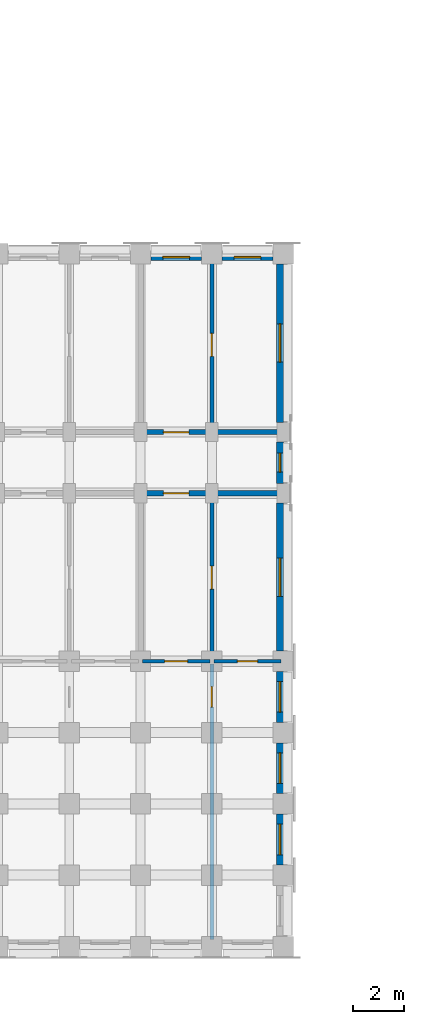
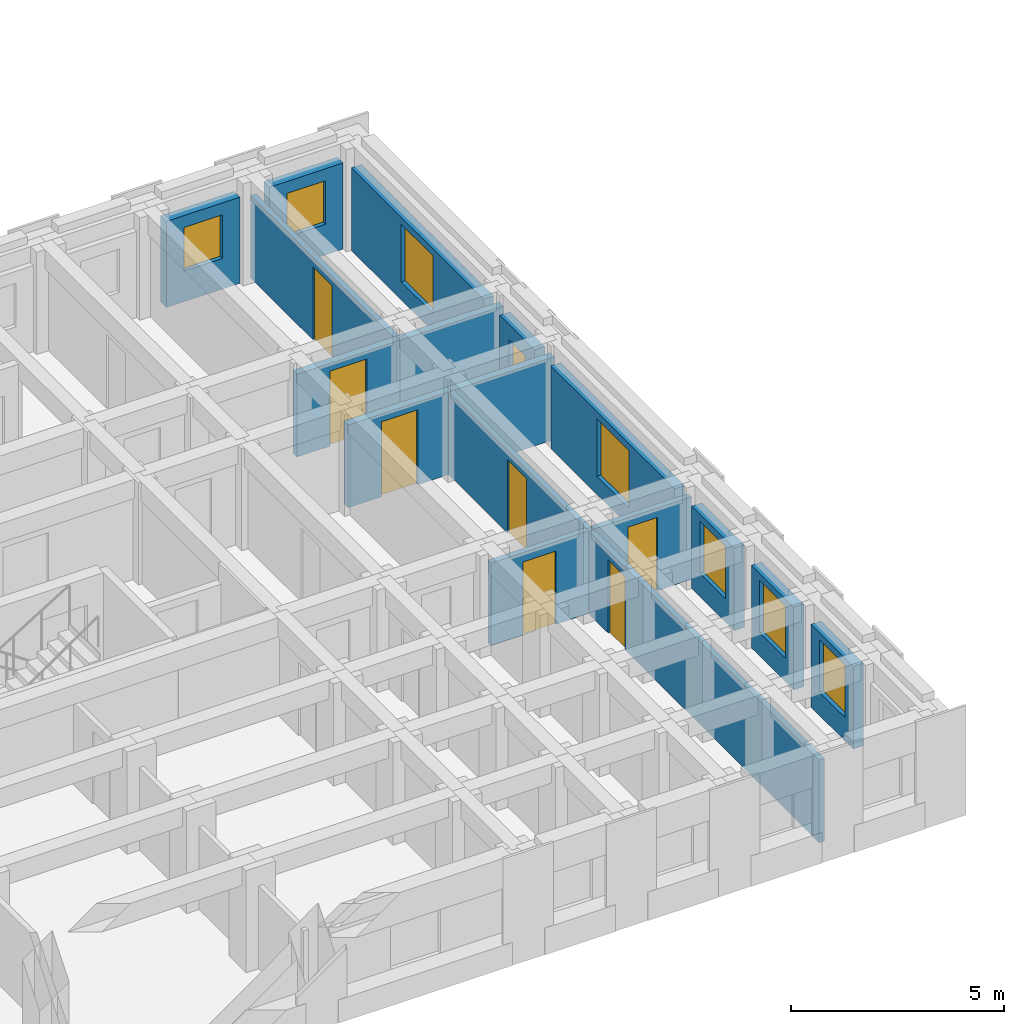
# One storey, part 41 of 76: 17 walls, 8 windows, 7 doors, 15 openings.
"""IFC4 building model written with IfcOpenShell, lengths in metres."""

from ifc_helpers import new_model, si_unit, direction, frame, frame_2d, origin, place, context, subcontext, project, spatial, rectangle, extrude, material, layer, layer_set, type_object, element, fill, save


model = new_model("IFC4")

# Units and contexts
model_context = context("Model", 3, precision=1e-05, world=origin(), true_north=direction((0.0, 1.0)))
body_context = subcontext(model_context, "Body", "Model", "MODEL_VIEW")
ifc_project = project(units=[si_unit("LENGTHUNIT", "METRE"), si_unit("AREAUNIT", "SQUARE_METRE"), si_unit("VOLUMEUNIT", "CUBIC_METRE"), si_unit("PLANEANGLEUNIT", "RADIAN"), si_unit("MASSUNIT", "GRAM", prefix="KILO")], contexts=[model_context])

# Site, building, storey
site_placement = place(None, origin())
site = spatial("IfcSite", under=ifc_project, at=site_placement, CompositionType="ELEMENT")
building_placement = place(site_placement, origin())
building = spatial("IfcBuilding", under=site, at=building_placement, Name="Kiranvali Square Residences", CompositionType="ELEMENT")
storey_placement = place(building_placement, frame((0.0, 0.0, 8.699951171875)))
storey = spatial("IfcBuildingStorey", under=building, at=storey_placement, Name="L02", CompositionType="ELEMENT", Elevation=8.699951171875)

# Wall, opening, door
ifc_material_1 = material(Name="Autoclaved aerated concrete blockwork masonry", Category="masonry")
ifc_layer_1 = layer(ifc_material_1, 0.199951171875)
ifc_layer_set_1 = layer_set([ifc_layer_1], Name="Autoclaved aerated concrete blockwork masonry")
wall_type_1 = type_object("IfcWallType", Name="WL-COR-200", PredefinedType="STANDARD", material=ifc_layer_set_1)
wall_1_placement = place(storey_placement, frame((65.0, 22.39990234375, 0.0), z_axis=(0.0, 0.0, 1.0), x_axis=(1.0, 0.0, 0.0)))
wall_1 = element("IfcWall", 1, at=wall_1_placement, inside=storey, type_object=wall_type_1, Name="L02 architectural wall WL-L02-C-A1CI-2", PredefinedType="STANDARD", context=body_context, shape_type="SweptSolid", body=[
    extrude(rectangle(XDim=2.800048828125, YDim=0.199951171875, at=frame_2d((1.39990234375, 0.0))), origin(), (0.0, 0.0, 1.0), 2.3720703125),
])
opening_1_placement = place(wall_1_placement, frame((0.89990234375, 0.0, 0.0)))
opening_1 = element("IfcOpeningElement", 2, at=opening_1_placement, cuts=wall_1, Name="Opening FD-APT-60", PredefinedType="OPENING", context=body_context, shape_type="SweptSolid", body=[
    extrude(rectangle(XDim=1.0, YDim=2.14990234375, at=frame_2d((0.5, 1.074951171875))), frame((0.0, 0.10986328125, 0.0), z_axis=(0.0, -1.0, 0.0), x_axis=(1.0, 0.0, 0.0)), (0.0, 0.0, 1.0), 0.219970703125),
])
ifc_material_2 = material(Name="Fire-rated acoustic hardwood and mineral-core door assembly", Category="wood")
door_type_1 = type_object("IfcDoorType", Name="DR-APT-1000", OperationType="NOTDEFINED", PredefinedType="DOOR", material=ifc_material_2)
door_1_placement = place(opening_1_placement, origin())
door_1 = element("IfcDoor", 3, at=door_1_placement, inside=storey, type_object=door_type_1, Name="L02 door DR-L02-1861 (DR-APT-1000)", OperationType="SINGLE_SWING_LEFT", OverallHeight=2.14990234375, OverallWidth=1.0, PredefinedType="DOOR", context=body_context, shape_type="SweptSolid", body=[
    extrude(rectangle(XDim=1.0, YDim=2.14990234375, at=frame_2d((0.5, 1.074951171875))), frame((0.0, 0.02490234375, 0.0), z_axis=(0.0, -1.0, 0.0), x_axis=(1.0, 0.0, 0.0)), (0.0, 0.0, 1.0), 0.050048828125),
])
fill(opening_1, door_1)

wall_2_placement = place(storey_placement, frame((65.0, 20.0, 0.0), z_axis=(0.0, 0.0, 1.0), x_axis=(1.0, 0.0, 0.0)))
wall_2 = element("IfcWall", 4, at=wall_2_placement, inside=storey, type_object=wall_type_1, Name="L02 architectural wall WL-L02-C-A1CO-2", PredefinedType="STANDARD", context=body_context, shape_type="SweptSolid", body=[
    extrude(rectangle(XDim=2.800048828125, YDim=0.199951171875, at=frame_2d((1.39990234375, 0.0))), origin(), (0.0, 0.0, 1.0), 2.3720703125),
])
opening_2_placement = place(wall_2_placement, frame((0.89990234375, 0.0, 0.0)))
opening_2 = element("IfcOpeningElement", 5, at=opening_2_placement, cuts=wall_2, Name="Opening FD-APT-60", PredefinedType="OPENING", context=body_context, shape_type="SweptSolid", body=[
    extrude(rectangle(XDim=1.0, YDim=2.14990234375, at=frame_2d((0.5, 1.074951171875))), frame((0.0, 0.10986328125, 0.0), z_axis=(0.0, -1.0, 0.0), x_axis=(1.0, 0.0, 0.0)), (0.0, 0.0, 1.0), 0.219970703125),
])
door_2_placement = place(opening_2_placement, origin())
door_2 = element("IfcDoor", 6, at=door_2_placement, inside=storey, type_object=door_type_1, Name="L02 door DR-L02-1863 (DR-APT-1000)", OperationType="SINGLE_SWING_LEFT", OverallHeight=2.14990234375, OverallWidth=1.0, PredefinedType="DOOR", context=body_context, shape_type="SweptSolid", body=[
    extrude(rectangle(XDim=1.0, YDim=2.14990234375, at=frame_2d((0.5, 1.074951171875))), frame((0.0, 0.02490234375, 0.0), z_axis=(0.0, -1.0, 0.0), x_axis=(1.0, 0.0, 0.0)), (0.0, 0.0, 1.0), 0.050048828125),
])
fill(opening_2, door_2)

# Walls
for number, where, z_axis, x_axis, name in (
    (7, (67.800048828125, 22.39990234375, 0.0), (0.0, 0.0, 1.0), (1.0, 0.0, 0.0), "L02 architectural wall WL-L02-C-A1CI-3"),
    (8, (67.800048828125, 20.0, 0.0), (0.0, 0.0, 1.0), (1.0, 0.0, 0.0), "L02 architectural wall WL-L02-C-A1CO-3"),
):
    element("IfcWall", number, at=place(storey_placement, frame(where, z_axis=z_axis, x_axis=x_axis)), inside=storey, type_object=wall_type_1, Name=name, PredefinedType="STANDARD", context=body_context, shape_type="SweptSolid", body=[
        extrude(rectangle(XDim=2.800048828125, YDim=0.199951171875, at=frame_2d((1.39990234375, 0.0))), origin(), (0.0, 0.0, 1.0), 2.3720703125),
    ])

# Wall, opening, window
ifc_material_3 = material(Name="Breathable lime-rendered clay brick masonry", Category="masonry")
ifc_layer_2 = layer(ifc_material_3, 0.27490234375)
ifc_layer_set_2 = layer_set([ifc_layer_2], Name="Breathable lime-rendered clay brick masonry")
wall_type_2 = type_object("IfcWallType", Name="WL-EXT-275", PredefinedType="STANDARD", material=ifc_layer_set_2)
wall_3_placement = place(storey_placement, frame((65.403564453125, 29.27490234375, 0.0), z_axis=(0.0, 0.0, 1.0), x_axis=(1.0, 0.0, 0.0)))
wall_3 = element("IfcWall", 9, at=wall_3_placement, inside=storey, type_object=wall_type_2, Name="L02 exterior wall C-L02-A1I-2", PredefinedType="STANDARD", context=body_context, shape_type="SweptSolid", body=[
    extrude(rectangle(XDim=1.992919921875, YDim=0.27490234375, at=frame_2d((0.99658203125, 0.0))), origin(), (0.0, 0.0, 1.0), 2.47216796875),
])
opening_3_placement = place(wall_3_placement, frame((0.471435546875, 0.0, 0.8798828125)))
opening_3 = element("IfcOpeningElement", 10, at=opening_3_placement, cuts=wall_3, Name="Opening W-24", PredefinedType="OPENING", context=body_context, shape_type="SweptSolid", body=[
    extrude(rectangle(XDim=1.050048828125, YDim=1.25, at=frame_2d((0.52490234375, 0.625))), frame((0.0, 0.1474609375, 0.0), z_axis=(0.0, -1.0, 0.0), x_axis=(1.0, 0.0, 0.0)), (0.0, 0.0, 1.0), 0.294921875),
])
ifc_material_4 = material(Name="Solar-control low-e double glazing", Category="glass")
window_type_1 = type_object("IfcWindowType", Name="WIN-COR-1050x1250", PartitioningType="SINGLE_PANEL", PredefinedType="WINDOW", material=ifc_material_4)
window_1_placement = place(opening_3_placement, origin())
window_1 = element("IfcWindow", 11, at=window_1_placement, inside=storey, type_object=window_type_1, Name="L02 recessed window C-L02-A1I-2", OverallHeight=1.25, OverallWidth=1.050048828125, PartitioningType="SINGLE_PANEL", PredefinedType="WINDOW", context=body_context, shape_type="SweptSolid", body=[
    extrude(rectangle(XDim=1.050048828125, YDim=1.25, at=frame_2d((0.52490234375, 0.625))), frame((0.0, 0.030029296875, 0.0), z_axis=(0.0, -1.0, 0.0), x_axis=(1.0, 0.0, 0.0)), (0.0, 0.0, 1.0), 0.06005859375),
])
fill(opening_3, window_1)

wall_4_placement = place(storey_placement, frame((68.20361328125, 29.27490234375, 0.0), z_axis=(0.0, 0.0, 1.0), x_axis=(1.0, 0.0, 0.0)))
wall_4 = element("IfcWall", 12, at=wall_4_placement, inside=storey, type_object=wall_type_2, Name="L02 exterior wall C-L02-A1I-3", PredefinedType="STANDARD", context=body_context, shape_type="SweptSolid", body=[
    extrude(rectangle(XDim=1.992919921875, YDim=0.27490234375, at=frame_2d((0.99658203125, 0.0))), origin(), (0.0, 0.0, 1.0), 2.47216796875),
])
opening_4_placement = place(wall_4_placement, frame((0.471435546875, 0.0, 0.8798828125)))
opening_4 = element("IfcOpeningElement", 13, at=opening_4_placement, cuts=wall_4, Name="Opening W-24", PredefinedType="OPENING", context=body_context, shape_type="SweptSolid", body=[
    extrude(rectangle(XDim=1.050048828125, YDim=1.25, at=frame_2d((0.52490234375, 0.625))), frame((0.0, 0.1474609375, 0.0), z_axis=(0.0, -1.0, 0.0), x_axis=(1.0, 0.0, 0.0)), (0.0, 0.0, 1.0), 0.294921875),
])
window_2_placement = place(opening_4_placement, origin())
window_2 = element("IfcWindow", 14, at=window_2_placement, inside=storey, type_object=window_type_1, Name="L02 recessed window C-L02-A1I-3", OverallHeight=1.25, OverallWidth=1.050048828125, PartitioningType="SINGLE_PANEL", PredefinedType="WINDOW", context=body_context, shape_type="SweptSolid", body=[
    extrude(rectangle(XDim=1.050048828125, YDim=1.25, at=frame_2d((0.52490234375, 0.625))), frame((0.0, 0.030029296875, 0.0), z_axis=(0.0, -1.0, 0.0), x_axis=(1.0, 0.0, 0.0)), (0.0, 0.0, 1.0), 0.06005859375),
])
fill(opening_4, window_2)

wall_5_placement = place(storey_placement, frame((70.47509765625, 28.99658203125, 0.0), z_axis=(0.0, 0.0, 1.0), x_axis=(0.0, -1.0, 0.0)))
wall_5 = element("IfcWall", 15, at=wall_5_placement, inside=storey, type_object=wall_type_2, Name="L02 exterior wall C-L02-A1END-0", PredefinedType="STANDARD", context=body_context, shape_type="SweptSolid", body=[
    extrude(rectangle(XDim=6.218017578125, YDim=0.27490234375, at=frame_2d((3.10888671875, 0.0))), origin(), (0.0, 0.0, 1.0), 2.3720703125),
])
opening_5_placement = place(wall_5_placement, frame((2.346435546875, 0.0, 0.52197265625)))
opening_5 = element("IfcOpeningElement", 16, at=opening_5_placement, cuts=wall_5, Name="Opening W-05", PredefinedType="OPENING", context=body_context, shape_type="SweptSolid", body=[
    extrude(rectangle(XDim=1.5, YDim=1.64990234375, at=frame_2d((0.75, 0.824951171875))), frame((0.0, 0.1474609375, 0.0), z_axis=(0.0, -1.0, 0.0), x_axis=(1.0, 0.0, 0.0)), (0.0, 0.0, 1.0), 0.294921875),
])
window_type_2 = type_object("IfcWindowType", Name="WIN-RES-1500x1650", PartitioningType="DOUBLE_PANEL_VERTICAL", PredefinedType="WINDOW", material=ifc_material_4)
window_3_placement = place(opening_5_placement, origin())
window_3 = element("IfcWindow", 17, at=window_3_placement, inside=storey, type_object=window_type_2, Name="L02 recessed window C-L02-A1END-0", OverallHeight=1.64990234375, OverallWidth=1.5, PartitioningType="DOUBLE_PANEL_VERTICAL", PredefinedType="WINDOW", context=body_context, shape_type="SweptSolid", body=[
    extrude(rectangle(XDim=1.5, YDim=1.64990234375, at=frame_2d((0.75, 0.824951171875))), frame((0.0, 0.030029296875, 0.0), z_axis=(0.0, -1.0, 0.0), x_axis=(1.0, 0.0, 0.0)), (0.0, 0.0, 1.0), 0.06005859375),
])
fill(opening_5, window_3)

wall_6_placement = place(storey_placement, frame((70.47509765625, 22.021484375, 0.0), z_axis=(0.0, 0.0, 1.0), x_axis=(0.0, -1.0, 0.0)))
wall_6 = element("IfcWall", 18, at=wall_6_placement, inside=storey, type_object=wall_type_2, Name="L02 exterior wall C-L02-A1END-1", PredefinedType="STANDARD", context=body_context, shape_type="SweptSolid", body=[
    extrude(rectangle(XDim=1.64306640625, YDim=0.27490234375, at=frame_2d((0.821533203125, 0.0))), origin(), (0.0, 0.0, 1.0), 2.3720703125),
])
opening_6_placement = place(wall_6_placement, frame((0.446533203125, 0.0, 0.8798828125)))
opening_6 = element("IfcOpeningElement", 19, at=opening_6_placement, cuts=wall_6, Name="Opening W-07", PredefinedType="OPENING", context=body_context, shape_type="SweptSolid", body=[
    extrude(rectangle(XDim=0.75, YDim=1.050048828125, at=frame_2d((0.375, 0.52490234375))), frame((0.0, 0.1474609375, 0.0), z_axis=(0.0, -1.0, 0.0), x_axis=(1.0, 0.0, 0.0)), (0.0, 0.0, 1.0), 0.294921875),
])
window_type_3 = type_object("IfcWindowType", Name="WIN-WET-750x1050", PartitioningType="SINGLE_PANEL", PredefinedType="WINDOW", material=ifc_material_4)
window_4_placement = place(opening_6_placement, origin())
window_4 = element("IfcWindow", 20, at=window_4_placement, inside=storey, type_object=window_type_3, Name="L02 recessed window C-L02-A1END-1", OverallHeight=1.050048828125, OverallWidth=0.75, PartitioningType="SINGLE_PANEL", PredefinedType="WINDOW", context=body_context, shape_type="SweptSolid", body=[
    extrude(rectangle(XDim=0.75, YDim=1.050048828125, at=frame_2d((0.375, 0.52490234375))), frame((0.0, 0.030029296875, 0.0), z_axis=(0.0, -1.0, 0.0), x_axis=(1.0, 0.0, 0.0)), (0.0, 0.0, 1.0), 0.06005859375),
])
fill(opening_6, window_4)

wall_7_placement = place(storey_placement, frame((70.47509765625, 19.62158203125, 0.0), z_axis=(0.0, 0.0, 1.0), x_axis=(0.0, -1.0, 0.0)))
wall_7 = element("IfcWall", 21, at=wall_7_placement, inside=storey, type_object=wall_type_2, Name="L02 exterior wall C-L02-A1END-2", PredefinedType="STANDARD", context=body_context, shape_type="SweptSolid", body=[
    extrude(rectangle(XDim=5.818115234375, YDim=0.27490234375, at=frame_2d((2.9091796875, 0.0))), origin(), (0.0, 0.0, 1.0), 2.3720703125),
])
opening_7_placement = place(wall_7_placement, frame((2.17138671875, 0.0, 0.52197265625)))
opening_7 = element("IfcOpeningElement", 22, at=opening_7_placement, cuts=wall_7, Name="Opening W-05", PredefinedType="OPENING", context=body_context, shape_type="SweptSolid", body=[
    extrude(rectangle(XDim=1.5, YDim=1.64990234375, at=frame_2d((0.75, 0.824951171875))), frame((0.0, 0.1474609375, 0.0), z_axis=(0.0, -1.0, 0.0), x_axis=(1.0, 0.0, 0.0)), (0.0, 0.0, 1.0), 0.294921875),
])
window_5_placement = place(opening_7_placement, origin())
window_5 = element("IfcWindow", 23, at=window_5_placement, inside=storey, type_object=window_type_2, Name="L02 recessed window C-L02-A1END-2", OverallHeight=1.64990234375, OverallWidth=1.5, PartitioningType="DOUBLE_PANEL_VERTICAL", PredefinedType="WINDOW", context=body_context, shape_type="SweptSolid", body=[
    extrude(rectangle(XDim=1.5, YDim=1.64990234375, at=frame_2d((0.75, 0.824951171875))), frame((0.0, 0.030029296875, 0.0), z_axis=(0.0, -1.0, 0.0), x_axis=(1.0, 0.0, 0.0)), (0.0, 0.0, 1.0), 0.06005859375),
])
fill(opening_7, window_5)

wall_8_placement = place(storey_placement, frame((70.47509765625, 12.99658203125, 0.0), z_axis=(0.0, 0.0, 1.0), x_axis=(0.0, -1.0, 0.0)))
wall_8 = element("IfcWall", 24, at=wall_8_placement, inside=storey, type_object=wall_type_2, Name="L02 exterior wall C-L02-A1END-3", PredefinedType="STANDARD", context=body_context, shape_type="SweptSolid", body=[
    extrude(rectangle(XDim=1.9931640625, YDim=0.27490234375, at=frame_2d((0.99658203125, 0.0))), origin(), (0.0, 0.0, 1.0), 2.3720703125),
])
opening_8_placement = place(wall_8_placement, frame((0.396484375, 0.0, 0.672119140625)))
opening_8 = element("IfcOpeningElement", 25, at=opening_8_placement, cuts=wall_8, Name="Opening W-06", PredefinedType="OPENING", context=body_context, shape_type="SweptSolid", body=[
    extrude(rectangle(XDim=1.199951171875, YDim=1.5, at=frame_2d((0.60009765625, 0.75))), frame((0.0, 0.1474609375, 0.0), z_axis=(0.0, -1.0, 0.0), x_axis=(1.0, 0.0, 0.0)), (0.0, 0.0, 1.0), 0.294921875),
])
window_type_4 = type_object("IfcWindowType", Name="WIN-RES-1200x1500", PartitioningType="SINGLE_PANEL", PredefinedType="WINDOW", material=ifc_material_4)
window_6_placement = place(opening_8_placement, origin())
window_6 = element("IfcWindow", 26, at=window_6_placement, inside=storey, type_object=window_type_4, Name="L02 recessed window C-L02-A1END-3", OverallHeight=1.5, OverallWidth=1.199951171875, PartitioningType="SINGLE_PANEL", PredefinedType="WINDOW", context=body_context, shape_type="SweptSolid", body=[
    extrude(rectangle(XDim=1.199951171875, YDim=1.5, at=frame_2d((0.60009765625, 0.75))), frame((0.0, 0.030029296875, 0.0), z_axis=(0.0, -1.0, 0.0), x_axis=(1.0, 0.0, 0.0)), (0.0, 0.0, 1.0), 0.06005859375),
])
fill(opening_8, window_6)

wall_9_placement = place(storey_placement, frame((70.47509765625, 10.196533203125, 0.0), z_axis=(0.0, 0.0, 1.0), x_axis=(0.0, -1.0, 0.0)))
wall_9 = element("IfcWall", 27, at=wall_9_placement, inside=storey, type_object=wall_type_2, Name="L02 exterior wall C-L02-A1END-4", PredefinedType="STANDARD", context=body_context, shape_type="SweptSolid", body=[
    extrude(rectangle(XDim=1.992919921875, YDim=0.27490234375, at=frame_2d((0.99658203125, 0.0))), origin(), (0.0, 0.0, 1.0), 2.3720703125),
])
opening_9_placement = place(wall_9_placement, frame((0.396484375, 0.0, 0.672119140625)))
opening_9 = element("IfcOpeningElement", 28, at=opening_9_placement, cuts=wall_9, Name="Opening W-06", PredefinedType="OPENING", context=body_context, shape_type="SweptSolid", body=[
    extrude(rectangle(XDim=1.199951171875, YDim=1.5, at=frame_2d((0.60009765625, 0.75))), frame((0.0, 0.1474609375, 0.0), z_axis=(0.0, -1.0, 0.0), x_axis=(1.0, 0.0, 0.0)), (0.0, 0.0, 1.0), 0.294921875),
])
window_7_placement = place(opening_9_placement, origin())
window_7 = element("IfcWindow", 29, at=window_7_placement, inside=storey, type_object=window_type_4, Name="L02 recessed window C-L02-A1END-4", OverallHeight=1.5, OverallWidth=1.199951171875, PartitioningType="SINGLE_PANEL", PredefinedType="WINDOW", context=body_context, shape_type="SweptSolid", body=[
    extrude(rectangle(XDim=1.199951171875, YDim=1.5, at=frame_2d((0.60009765625, 0.75))), frame((0.0, 0.030029296875, 0.0), z_axis=(0.0, -1.0, 0.0), x_axis=(1.0, 0.0, 0.0)), (0.0, 0.0, 1.0), 0.06005859375),
])
fill(opening_9, window_7)

wall_10_placement = place(storey_placement, frame((70.47509765625, 7.396484375, 0.0), z_axis=(0.0, 0.0, 1.0), x_axis=(0.0, -1.0, 0.0)))
wall_10 = element("IfcWall", 30, at=wall_10_placement, inside=storey, type_object=wall_type_2, Name="L02 exterior wall C-L02-A1END-5", PredefinedType="STANDARD", context=body_context, shape_type="SweptSolid", body=[
    extrude(rectangle(XDim=1.992919921875, YDim=0.27490234375, at=frame_2d((0.99658203125, 0.0))), origin(), (0.0, 0.0, 1.0), 2.3720703125),
])
opening_10_placement = place(wall_10_placement, frame((0.396484375, 0.0, 0.672119140625)))
opening_10 = element("IfcOpeningElement", 31, at=opening_10_placement, cuts=wall_10, Name="Opening W-06", PredefinedType="OPENING", context=body_context, shape_type="SweptSolid", body=[
    extrude(rectangle(XDim=1.199951171875, YDim=1.5, at=frame_2d((0.60009765625, 0.75))), frame((0.0, 0.1474609375, 0.0), z_axis=(0.0, -1.0, 0.0), x_axis=(1.0, 0.0, 0.0)), (0.0, 0.0, 1.0), 0.294921875),
])
window_8_placement = place(opening_10_placement, origin())
window_8 = element("IfcWindow", 32, at=window_8_placement, inside=storey, type_object=window_type_4, Name="L02 recessed window C-L02-A1END-5", OverallHeight=1.5, OverallWidth=1.199951171875, PartitioningType="SINGLE_PANEL", PredefinedType="WINDOW", context=body_context, shape_type="SweptSolid", body=[
    extrude(rectangle(XDim=1.199951171875, YDim=1.5, at=frame_2d((0.60009765625, 0.75))), frame((0.0, 0.030029296875, 0.0), z_axis=(0.0, -1.0, 0.0), x_axis=(1.0, 0.0, 0.0)), (0.0, 0.0, 1.0), 0.06005859375),
])
fill(opening_10, window_8)

# Wall, opening, door
ifc_material_5 = material(Name="Acoustic gypsum board drylined partition", Category="gypsum")
ifc_layer_3 = layer(ifc_material_5, 0.14990234375)
ifc_layer_set_3 = layer_set([ifc_layer_3], Name="Acoustic gypsum board drylined partition")
wall_type_3 = type_object("IfcWallType", Name="WL-PRT-150", PredefinedType="PARTITIONING", material=ifc_layer_set_3)
wall_11_placement = place(storey_placement, frame((67.800048828125, 29.199951171875, 0.0), z_axis=(0.0, 0.0, 1.0), x_axis=(0.0, -1.0, 0.0)))
wall_11 = element("IfcWall", 33, at=wall_11_placement, inside=storey, type_object=wall_type_3, Name="L02 architectural wall WL-L02-C-A1TI-3", PredefinedType="PARTITIONING", context=body_context, shape_type="SweptSolid", body=[
    extrude(rectangle(XDim=6.75, YDim=0.14990234375, at=frame_2d((3.375, 0.0))), origin(), (0.0, 0.0, 1.0), 2.3720703125),
])
opening_11_placement = place(wall_11_placement, frame((2.925048828125, 0.0, 0.0)))
opening_11 = element("IfcOpeningElement", 34, at=opening_11_placement, cuts=wall_11, Name="Opening ID-1", PredefinedType="OPENING", context=body_context, shape_type="SweptSolid", body=[
    extrude(rectangle(XDim=0.89990234375, YDim=2.10009765625, at=frame_2d((0.449951171875, 1.050048828125))), frame((0.0, 0.0849609375, 0.0), z_axis=(0.0, -1.0, 0.0), x_axis=(1.0, 0.0, 0.0)), (0.0, 0.0, 1.0), 0.169921875),
])
ifc_material_6 = material(Name="Solid seasoned teak hardwood joinery", Category="wood")
door_type_2 = type_object("IfcDoorType", Name="DR-INT-900", OperationType="NOTDEFINED", PredefinedType="DOOR", material=ifc_material_6)
door_3_placement = place(opening_11_placement, origin())
door_3 = element("IfcDoor", 35, at=door_3_placement, inside=storey, type_object=door_type_2, Name="L02 door DR-L02-1869 (DR-INT-900)", OperationType="SINGLE_SWING_LEFT", OverallHeight=2.10009765625, OverallWidth=0.89990234375, PredefinedType="DOOR", context=body_context, shape_type="SweptSolid", body=[
    extrude(rectangle(XDim=0.89990234375, YDim=2.10009765625, at=frame_2d((0.449951171875, 1.050048828125))), frame((0.0, 0.02490234375, 0.0), z_axis=(0.0, -1.0, 0.0), x_axis=(1.0, 0.0, 0.0)), (0.0, 0.0, 1.0), 0.050048828125),
])
fill(opening_11, door_3)

wall_12_placement = place(storey_placement, frame((67.800048828125, 19.949951171875, 0.0), z_axis=(0.0, 0.0, 1.0), x_axis=(0.0, -1.0, 0.0)))
wall_12 = element("IfcWall", 36, at=wall_12_placement, inside=storey, type_object=wall_type_3, Name="L02 architectural wall WL-L02-C-A1TO1-3", PredefinedType="PARTITIONING", context=body_context, shape_type="SweptSolid", body=[
    extrude(rectangle(XDim=6.530029296875, YDim=0.14990234375, at=frame_2d((3.26513671875, 0.0))), origin(), (0.0, 0.0, 1.0), 2.3720703125),
])
opening_12_placement = place(wall_12_placement, frame((2.81494140625, 0.0, 0.0)))
opening_12 = element("IfcOpeningElement", 37, at=opening_12_placement, cuts=wall_12, Name="Opening ID-1", PredefinedType="OPENING", context=body_context, shape_type="SweptSolid", body=[
    extrude(rectangle(XDim=0.89990234375, YDim=2.10009765625, at=frame_2d((0.449951171875, 1.050048828125))), frame((0.0, 0.0849609375, 0.0), z_axis=(0.0, -1.0, 0.0), x_axis=(1.0, 0.0, 0.0)), (0.0, 0.0, 1.0), 0.169921875),
])
door_4_placement = place(opening_12_placement, frame((0.89990234375, 0.0, 0.0), z_axis=(0.0, 0.0, 1.0), x_axis=(-1.0, 0.0, 0.0)))
door_4 = element("IfcDoor", 38, at=door_4_placement, inside=storey, type_object=door_type_2, Name="L02 door DR-L02-1870 (DR-INT-900)", OperationType="SINGLE_SWING_RIGHT", OverallHeight=2.10009765625, OverallWidth=0.89990234375, PredefinedType="DOOR", context=body_context, shape_type="SweptSolid", body=[
    extrude(rectangle(XDim=0.89990234375, YDim=2.10009765625, at=frame_2d((0.449951171875, 1.050048828125))), frame((0.0, 0.02490234375, 0.0), z_axis=(0.0, -1.0, 0.0), x_axis=(1.0, 0.0, 0.0)), (0.0, 0.0, 1.0), 0.050048828125),
])
fill(opening_12, door_4)

wall_13_placement = place(storey_placement, frame((67.800048828125, 13.300048828125, 0.0), z_axis=(0.0, 0.0, 1.0), x_axis=(0.0, -1.0, 0.0)))
wall_13 = element("IfcWall", 39, at=wall_13_placement, inside=storey, type_object=wall_type_3, Name="L02 architectural wall WL-L02-C-A1TO2-3", PredefinedType="PARTITIONING", context=body_context, shape_type="SweptSolid", body=[
    extrude(rectangle(XDim=10.820068359375, YDim=0.14990234375, at=frame_2d((5.41015625, 0.0))), origin(), (0.0, 0.0, 1.0), 2.3720703125),
])
opening_13_placement = place(wall_13_placement, frame((0.8994140625, 0.0, 0.0)))
opening_13 = element("IfcOpeningElement", 40, at=opening_13_placement, cuts=wall_13, Name="Opening ID-WET", PredefinedType="OPENING", context=body_context, shape_type="SweptSolid", body=[
    extrude(rectangle(XDim=0.800048828125, YDim=2.10009765625, at=frame_2d((0.39990234375, 1.050048828125))), frame((0.0, 0.0849609375, 0.0), z_axis=(0.0, -1.0, 0.0), x_axis=(1.0, 0.0, 0.0)), (0.0, 0.0, 1.0), 0.169921875),
])
door_type_3 = type_object("IfcDoorType", Name="DR-WET-800", OperationType="NOTDEFINED", PredefinedType="DOOR", material=ifc_material_6)
door_5_placement = place(opening_13_placement, origin())
door_5 = element("IfcDoor", 41, at=door_5_placement, inside=storey, type_object=door_type_3, Name="L02 door DR-L02-1871 (DR-WET-800)", OperationType="SINGLE_SWING_LEFT", OverallHeight=2.10009765625, OverallWidth=0.800048828125, PredefinedType="DOOR", context=body_context, shape_type="SweptSolid", body=[
    extrude(rectangle(XDim=0.800048828125, YDim=2.10009765625, at=frame_2d((0.39990234375, 1.050048828125))), frame((0.0, 0.02490234375, 0.0), z_axis=(0.0, -1.0, 0.0), x_axis=(1.0, 0.0, 0.0)), (0.0, 0.0, 1.0), 0.050048828125),
])
fill(opening_13, door_5)

ifc_layer_4 = layer(ifc_material_1, 0.14990234375)
ifc_layer_set_4 = layer_set([ifc_layer_4], Name="Autoclaved aerated concrete blockwork masonry")
wall_type_4 = type_object("IfcWallType", Name="WL-WET-150", PredefinedType="PLUMBINGWALL", material=ifc_layer_set_4)
wall_14_placement = place(storey_placement, frame((65.080078125, 13.39990234375, 0.0), z_axis=(0.0, 0.0, 1.0), x_axis=(1.0, 0.0, 0.0)))
wall_14 = element("IfcWall", 42, at=wall_14_placement, inside=storey, type_object=wall_type_4, Name="L02 architectural wall WL-L02-C-A1SP-2", PredefinedType="PLUMBINGWALL", context=body_context, shape_type="SweptSolid", body=[
    extrude(rectangle(XDim=2.639892578125, YDim=0.14990234375, at=frame_2d((1.31982421875, 0.0))), origin(), (0.0, 0.0, 1.0), 2.3720703125),
])
opening_14_placement = place(wall_14_placement, frame((0.8701171875, 0.0, 0.0)))
opening_14 = element("IfcOpeningElement", 43, at=opening_14_placement, cuts=wall_14, Name="Opening ID-1", PredefinedType="OPENING", context=body_context, shape_type="SweptSolid", body=[
    extrude(rectangle(XDim=0.89990234375, YDim=2.10009765625, at=frame_2d((0.449951171875, 1.050048828125))), frame((0.0, 0.0849609375, 0.0), z_axis=(0.0, -1.0, 0.0), x_axis=(1.0, 0.0, 0.0)), (0.0, 0.0, 1.0), 0.169921875),
])
door_6_placement = place(opening_14_placement, frame((0.89990234375, 0.0, 0.0), z_axis=(0.0, 0.0, 1.0), x_axis=(-1.0, 0.0, 0.0)))
door_6 = element("IfcDoor", 44, at=door_6_placement, inside=storey, type_object=door_type_2, Name="L02 door DR-L02-1862 (DR-INT-900)", OperationType="SINGLE_SWING_RIGHT", OverallHeight=2.10009765625, OverallWidth=0.89990234375, PredefinedType="DOOR", context=body_context, shape_type="SweptSolid", body=[
    extrude(rectangle(XDim=0.89990234375, YDim=2.10009765625, at=frame_2d((0.449951171875, 1.050048828125))), frame((0.0, 0.02490234375, 0.0), z_axis=(0.0, -1.0, 0.0), x_axis=(1.0, 0.0, 0.0)), (0.0, 0.0, 1.0), 0.050048828125),
])
fill(opening_14, door_6)

wall_15_placement = place(storey_placement, frame((67.8798828125, 13.39990234375, 0.0), z_axis=(0.0, 0.0, 1.0), x_axis=(1.0, 0.0, 0.0)))
wall_15 = element("IfcWall", 45, at=wall_15_placement, inside=storey, type_object=wall_type_4, Name="L02 architectural wall WL-L02-C-A1SP-3", PredefinedType="PLUMBINGWALL", context=body_context, shape_type="SweptSolid", body=[
    extrude(rectangle(XDim=2.64013671875, YDim=0.14990234375, at=frame_2d((1.320068359375, 0.0))), origin(), (0.0, 0.0, 1.0), 2.3720703125),
])
opening_15_placement = place(wall_15_placement, frame((0.919921875, 0.0, 0.0)))
opening_15 = element("IfcOpeningElement", 46, at=opening_15_placement, cuts=wall_15, Name="Opening ID-WET", PredefinedType="OPENING", context=body_context, shape_type="SweptSolid", body=[
    extrude(rectangle(XDim=0.800048828125, YDim=2.10009765625, at=frame_2d((0.39990234375, 1.050048828125))), frame((0.0, 0.0849609375, 0.0), z_axis=(0.0, -1.0, 0.0), x_axis=(1.0, 0.0, 0.0)), (0.0, 0.0, 1.0), 0.169921875),
])
door_7_placement = place(opening_15_placement, frame((0.800048828125, 0.0, 0.0), z_axis=(0.0, 0.0, 1.0), x_axis=(-1.0, 0.0, 0.0)))
door_7 = element("IfcDoor", 47, at=door_7_placement, inside=storey, type_object=door_type_3, Name="L02 door DR-L02-1864 (DR-WET-800)", OperationType="SINGLE_SWING_RIGHT", OverallHeight=2.10009765625, OverallWidth=0.800048828125, PredefinedType="DOOR", context=body_context, shape_type="SweptSolid", body=[
    extrude(rectangle(XDim=0.800048828125, YDim=2.10009765625, at=frame_2d((0.39990234375, 1.050048828125))), frame((0.0, 0.02490234375, 0.0), z_axis=(0.0, -1.0, 0.0), x_axis=(1.0, 0.0, 0.0)), (0.0, 0.0, 1.0), 0.050048828125),
])
fill(opening_15, door_7)

save(model, "model.ifc")
